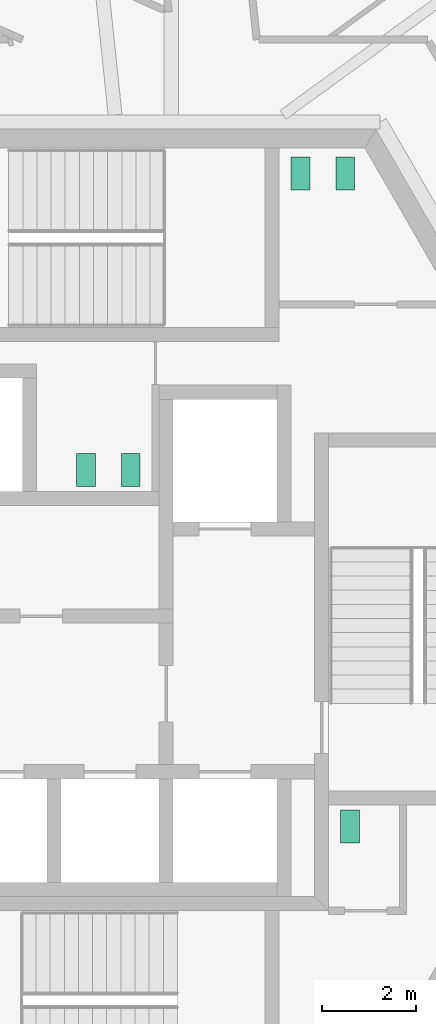
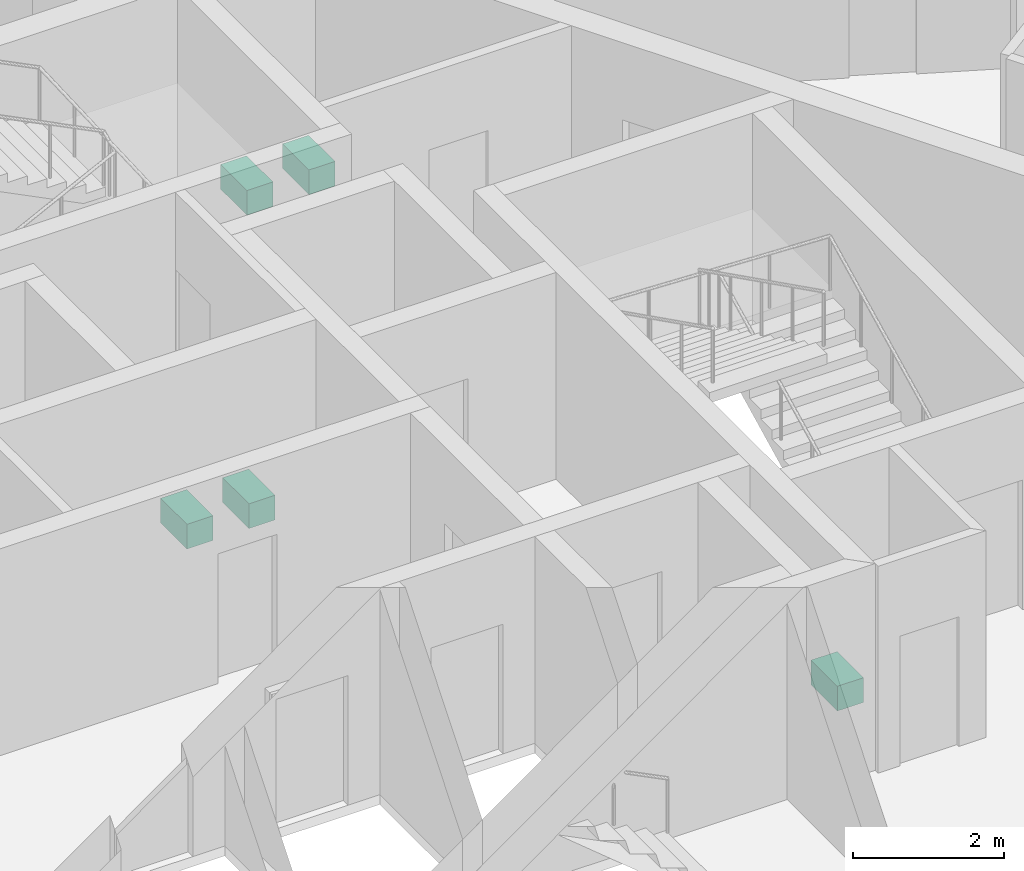
# One storey, part 24 of 26: 5 sanitary terminals.
"""IFC4 building model written with IfcOpenShell, lengths in metres."""

from ifc_helpers import new_model, si_unit, direction, frame, origin, origin_2d, place, context, subcontext, project, spatial, rectangle, extrude, source, transform, mapped, material, element, save


model = new_model("IFC4")

# Units and contexts
model_context = context("Model", 3, precision=1e-05, world=origin(), true_north=direction((0.0, 1.0)))
body_context = subcontext(model_context, "Body", "Model", "MODEL_VIEW")
ifc_project = project(units=[si_unit("LENGTHUNIT", "METRE"), si_unit("AREAUNIT", "SQUARE_METRE"), si_unit("VOLUMEUNIT", "CUBIC_METRE"), si_unit("PLANEANGLEUNIT", "RADIAN"), si_unit("MASSUNIT", "GRAM", prefix="KILO")], contexts=[model_context])

# Site, building, storey
site_placement = place(None, origin())
site = spatial("IfcSite", under=ifc_project, at=site_placement, CompositionType="ELEMENT")
building_placement = place(site_placement, origin())
building = spatial("IfcBuilding", under=site, at=building_placement, Name="Triune Harvest Tower", CompositionType="ELEMENT")
storey_placement = place(building_placement, frame((0.0, 0.0, 252.10009765625)))
storey = spatial("IfcBuildingStorey", under=building, at=storey_placement, Name="L66", CompositionType="ELEMENT", Elevation=252.10009765625)

# Sanitary terminals
ifc_material = material(Name="Vitreous china")
shared_shape = source(origin(), body_context, "Body", "SweptSolid", [
    extrude(rectangle(XDim=0.39990234375, YDim=0.699951171875, at=origin_2d()), origin(), (0.0, 0.0, 1.0), 0.39990234375),
])
for number, where, z_axis, x_axis, name in (
    (1, (4.39990234375, 9.449951171875, 0.0), (0.0, 0.0, 1.0), (1.0, 0.0, 0.0), "Toilet pan L66.c01"),
    (2, (5.35009765625, 9.449951171875, 0.0), (0.0, 0.0, 1.0), (1.0, 0.0, 0.0), "Toilet pan L66.c02"),
    (3, (0.800048828125, 3.159912109375, 0.0), (0.0, 0.0, 1.0), (-1.0, 0.0, 0.0), "Toilet pan L66.c03"),
    (4, (-0.14990234375, 3.159912109375, 0.0), (0.0, 0.0, 1.0), (-1.0, 0.0, 0.0), "Toilet pan L66.c04"),
    (5, (5.449951171875, -4.39990234375, 0.0), (0.0, 0.0, 1.0), (1.0, 0.0, 0.0), "Toilet pan L66.c05"),
):
    element("IfcSanitaryTerminal", number, at=place(storey_placement, frame(where, z_axis=z_axis, x_axis=x_axis)), inside=storey, material=ifc_material, Name=name, PredefinedType="TOILETPAN", context=body_context, shape_type="MappedRepresentation", body=[
        mapped(shared_shape, transform((0.0, 0.0, 0.0), scale=1.0)),
    ])

save(model, "model.ifc")
